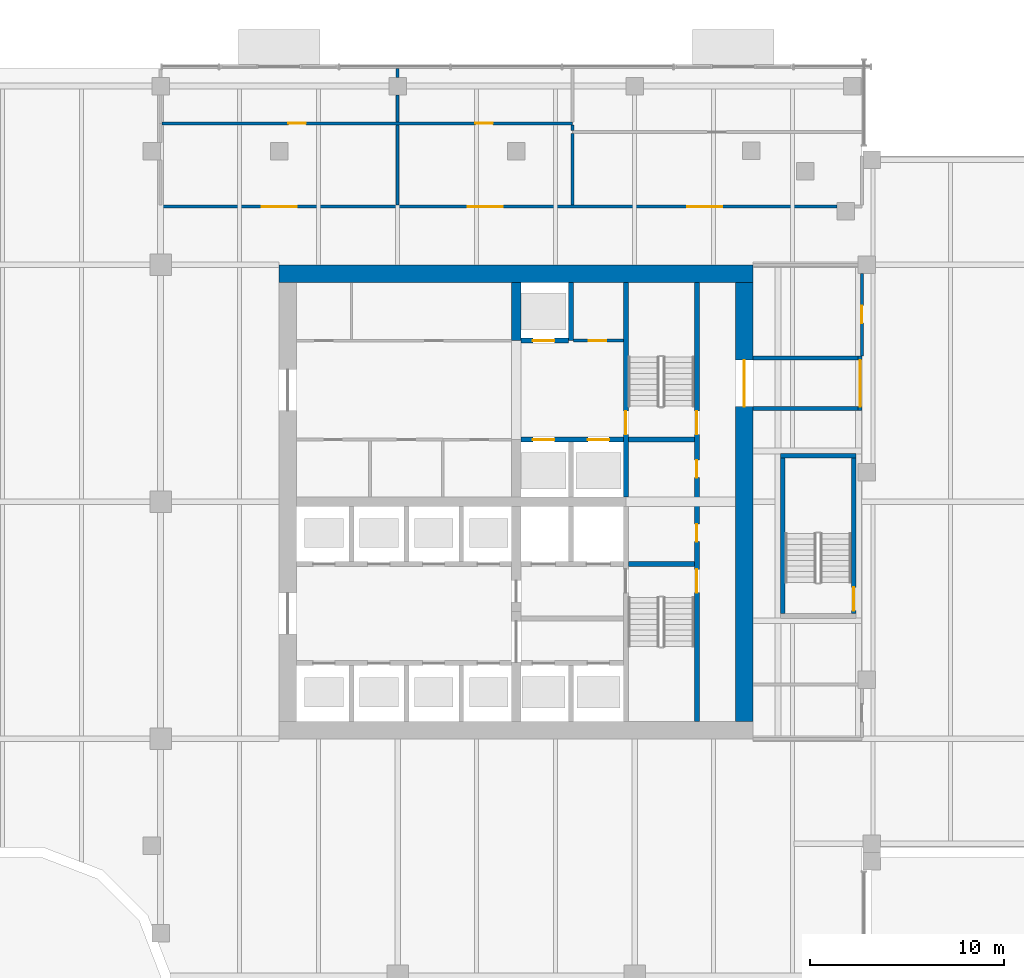
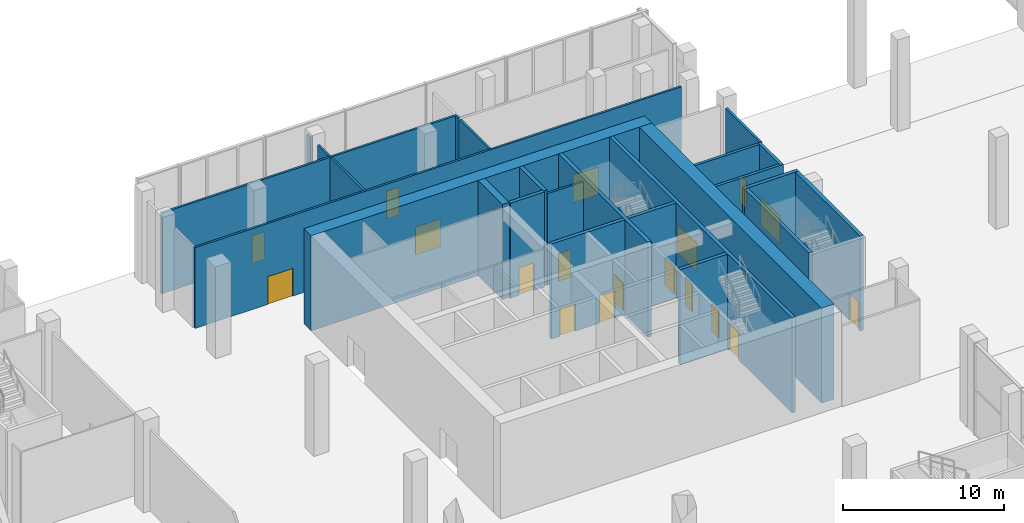
# One storey, part 21 of 36: 25 walls, 18 doors, 18 openings.
"""IFC4 building model written with IfcOpenShell, lengths in metres."""

from ifc_helpers import new_model, si_unit, direction, frame, frame_2d, origin, place, context, subcontext, project, spatial, rectangle, extrude, source, transform, mapped, material, layer, layer_set, type_object, element, fill, save


model = new_model("IFC4")

# Units and contexts
model_context = context("Model", 3, precision=1e-05, world=origin(), true_north=direction((0.0, 1.0)))
body_context = subcontext(model_context, "Body", "Model", "MODEL_VIEW")
ifc_project = project(units=[si_unit("LENGTHUNIT", "METRE"), si_unit("AREAUNIT", "SQUARE_METRE"), si_unit("VOLUMEUNIT", "CUBIC_METRE"), si_unit("PLANEANGLEUNIT", "RADIAN"), si_unit("MASSUNIT", "GRAM", prefix="KILO")], contexts=[model_context])

# Site, building, storey
site_placement = place(None, origin())
site = spatial("IfcSite", under=ifc_project, at=site_placement, CompositionType="ELEMENT")
building_placement = place(site_placement, origin())
building = spatial("IfcBuilding", under=site, at=building_placement, Name="Tessera Gate Towers", CompositionType="ELEMENT")
storey_placement = place(building_placement, origin())
storey = spatial("IfcBuildingStorey", under=building, at=storey_placement, Name="L00", CompositionType="ELEMENT", Elevation=0.0)

# Wall, opening, door
ifc_material_1 = material(Name="Concrete C40/50", Category="concrete")
ifc_layer_1 = layer(ifc_material_1, 0.25)
ifc_layer_set_1 = layer_set([ifc_layer_1], Name="CORE ENCLOSURE WALL 250")
wall_type_1 = type_object("IfcWallType", Name="CORE ENCLOSURE WALL 250", PredefinedType="SOLIDWALL", material=ifc_layer_set_1)
wall_1_placement = place(storey_placement, frame((48.35009765625, 47.89990234375, 0.0), z_axis=(0.0, 0.0, 1.0), x_axis=(0.0, -1.0, 0.0)))
wall_1 = element("IfcWall", 1, at=wall_1_placement, inside=storey, type_object=wall_type_1, Name="L00 shaft and stair enclosure wall", PredefinedType="SOLIDWALL", context=body_context, shape_type="SweptSolid", body=[
    extrude(rectangle(XDim=11.0498046875, YDim=0.25, at=frame_2d((5.52490234375, 0.0))), origin(), (0.0, 0.0, 1.0), 7.199951171875),
])
shared_shape_1 = source(origin(), body_context, "Body", "SweptSolid", [
    extrude(rectangle(XDim=1.199951171875, YDim=2.10009765625, at=frame_2d((0.60009765625, 1.050048828125))), frame((0.0, 0.135009765625, 0.0), z_axis=(0.0, -1.0, 0.0), x_axis=(1.0, 0.0, 0.0)), (0.0, 0.0, 1.0), 0.27001953125),
])
opening_1_placement = place(wall_1_placement, frame((6.625, 0.0, 0.0)))
opening_1 = element("IfcOpeningElement", 2, at=opening_1_placement, cuts=wall_1, Name="Opening SD-ST2-1", PredefinedType="OPENING", context=body_context, shape_type="MappedRepresentation", body=[
    mapped(shared_shape_1, transform((0.0, 0.0, 0.0), scale=1.0)),
])
ifc_material_2 = material(Name="Hollow steel fire door", Category="steel")
door_type_1 = type_object("IfcDoorType", Name="CORE DOOR SD 1200x2100", OperationType="NOTDEFINED", PredefinedType="DOOR", material=ifc_material_2)
shared_shape_2 = source(origin(), body_context, "Body", "SweptSolid", [
    extrude(rectangle(XDim=1.199951171875, YDim=2.10009765625, at=frame_2d((0.60009765625, 1.050048828125))), frame((0.0, 0.02490234375, 0.0), z_axis=(0.0, -1.0, 0.0), x_axis=(1.0, 0.0, 0.0)), (0.0, 0.0, 1.0), 0.050048828125),
])
door_1_placement = place(opening_1_placement, origin())
door_1 = element("IfcDoor", 3, at=door_1_placement, inside=storey, type_object=door_type_1, Name="Stair door", OperationType="SINGLE_SWING_RIGHT", OverallHeight=2.10009765625, OverallWidth=1.199951171875, PredefinedType="DOOR", context=body_context, shape_type="MappedRepresentation", body=[
    mapped(shared_shape_2, transform((0.0, 0.0, 0.0), scale=1.0)),
])
fill(opening_1, door_1)

# Wall, openings, doors
wall_2_placement = place(storey_placement, frame((52.0, 25.300048828125, 0.0), z_axis=(0.0, 0.0, 1.0), x_axis=(0.0, 1.0, 0.0)))
wall_2 = element("IfcWall", 4, at=wall_2_placement, inside=storey, type_object=wall_type_1, Name="L00 shaft and stair enclosure wall", PredefinedType="SOLIDWALL", context=body_context, shape_type="SweptSolid", body=[
    extrude(rectangle(XDim=22.599853515625, YDim=0.25, at=frame_2d((11.2998046875, 0.0))), origin(), (0.0, 0.0, 1.0), 7.199951171875),
])
opening_2_placement = place(wall_2_placement, frame((6.625, 0.0, 0.0)))
opening_2 = element("IfcOpeningElement", 5, at=opening_2_placement, cuts=wall_2, Name="Opening SD-ST1-2", PredefinedType="OPENING", context=body_context, shape_type="MappedRepresentation", body=[
    mapped(shared_shape_1, transform((0.0, 0.0, 0.0), scale=1.0)),
])
shared_shape_3 = source(origin(), body_context, "Body", "SweptSolid", [
    extrude(rectangle(XDim=0.89990234375, YDim=2.10009765625, at=frame_2d((0.449951171875, 1.050048828125))), frame((0.0, 0.135009765625, 0.0), z_axis=(0.0, -1.0, 0.0), x_axis=(1.0, 0.0, 0.0)), (0.0, 0.0, 1.0), 0.27001953125),
])
opening_3_placement = place(wall_2_placement, frame((9.25, 0.0, 0.0)))
opening_3 = element("IfcOpeningElement", 6, at=opening_3_placement, cuts=wall_2, Name="Opening RD-T1-02-06", PredefinedType="OPENING", context=body_context, shape_type="MappedRepresentation", body=[
    mapped(shared_shape_3, transform((0.0, 0.0, 0.0), scale=1.0)),
])
opening_4_placement = place(wall_2_placement, frame((12.550048828125, 0.0, 0.0)))
opening_4 = element("IfcOpeningElement", 7, at=opening_4_placement, cuts=wall_2, Name="Opening RD-T1-02-07", PredefinedType="OPENING", context=body_context, shape_type="MappedRepresentation", body=[
    mapped(shared_shape_3, transform((0.0, 0.0, 0.0), scale=1.0)),
])
opening_5_placement = place(wall_2_placement, frame((14.77490234375, 0.0, 0.0)))
opening_5 = element("IfcOpeningElement", 8, at=opening_5_placement, cuts=wall_2, Name="Opening SD-ST2-2", PredefinedType="OPENING", context=body_context, shape_type="MappedRepresentation", body=[
    mapped(shared_shape_1, transform((0.0, 0.0, 0.0), scale=1.0)),
])
door_2_placement = place(opening_2_placement, origin())
door_2 = element("IfcDoor", 9, at=door_2_placement, inside=storey, type_object=door_type_1, Name="Stair door", OperationType="SINGLE_SWING_LEFT", OverallHeight=2.10009765625, OverallWidth=1.199951171875, PredefinedType="DOOR", context=body_context, shape_type="MappedRepresentation", body=[
    mapped(shared_shape_2, transform((0.0, 0.0, 0.0), scale=1.0)),
])
fill(opening_2, door_2)
door_3_placement = place(opening_5_placement, origin())
door_3 = element("IfcDoor", 10, at=door_3_placement, inside=storey, type_object=door_type_1, Name="Stair door", OperationType="SINGLE_SWING_RIGHT", OverallHeight=2.10009765625, OverallWidth=1.199951171875, PredefinedType="DOOR", context=body_context, shape_type="MappedRepresentation", body=[
    mapped(shared_shape_2, transform((0.0, 0.0, 0.0), scale=1.0)),
])
fill(opening_5, door_3)
ifc_material_3 = material(Name="Hollow steel fire door", Category="steel")
door_type_2 = type_object("IfcDoorType", Name="CORE DOOR RD 900x2100", OperationType="NOTDEFINED", PredefinedType="DOOR", material=ifc_material_3)
shared_shape_4 = source(origin(), body_context, "Body", "SweptSolid", [
    extrude(rectangle(XDim=0.89990234375, YDim=2.10009765625, at=frame_2d((0.449951171875, 1.050048828125))), frame((0.0, 0.02490234375, 0.0), z_axis=(0.0, -1.0, 0.0), x_axis=(1.0, 0.0, 0.0)), (0.0, 0.0, 1.0), 0.050048828125),
])
door_4_placement = place(opening_3_placement, origin())
door_4 = element("IfcDoor", 11, at=door_4_placement, inside=storey, type_object=door_type_2, Name="Core room door", OperationType="SINGLE_SWING_LEFT", OverallHeight=2.10009765625, OverallWidth=0.89990234375, PredefinedType="DOOR", context=body_context, shape_type="MappedRepresentation", body=[
    mapped(shared_shape_4, transform((0.0, 0.0, 0.0), scale=1.0)),
])
fill(opening_3, door_4)
door_5_placement = place(opening_4_placement, origin())
door_5 = element("IfcDoor", 12, at=door_5_placement, inside=storey, type_object=door_type_2, Name="Core room door", OperationType="SINGLE_SWING_RIGHT", OverallHeight=2.10009765625, OverallWidth=0.89990234375, PredefinedType="DOOR", context=body_context, shape_type="MappedRepresentation", body=[
    mapped(shared_shape_4, transform((0.0, 0.0, 0.0), scale=1.0)),
])
fill(opening_4, door_5)

# Wall
wall_3_placement = place(storey_placement, frame((48.47509765625, 33.39990234375, 0.0), z_axis=(0.0, 0.0, 1.0), x_axis=(1.0, 0.0, 0.0)))
element("IfcWall", 13, at=wall_3_placement, inside=storey, type_object=wall_type_1, Name="L00 shaft and stair enclosure wall", PredefinedType="SOLIDWALL", context=body_context, shape_type="SweptSolid", body=[
    extrude(rectangle(XDim=3.39990234375, YDim=0.25, at=frame_2d((1.699951171875, 0.0))), origin(), (0.0, 0.0, 1.0), 7.199951171875),
])

# Wall, openings, doors
wall_4_placement = place(storey_placement, frame((42.949951171875, 39.800048828125, 0.0), z_axis=(0.0, 0.0, 1.0), x_axis=(1.0, 0.0, 0.0)))
wall_4 = element("IfcWall", 14, at=wall_4_placement, inside=storey, type_object=wall_type_1, Name="L00 shaft and stair enclosure wall", PredefinedType="SOLIDWALL", context=body_context, shape_type="SweptSolid", body=[
    extrude(rectangle(XDim=5.275146484375, YDim=0.25, at=frame_2d((2.6376953125, 0.0))), origin(), (0.0, 0.0, 1.0), 7.199951171875),
])
shared_shape_5 = source(origin(), body_context, "Body", "SweptSolid", [
    extrude(rectangle(XDim=1.10009765625, YDim=2.10009765625, at=frame_2d((0.550048828125, 1.050048828125))), frame((0.0, 0.135009765625, 0.0), z_axis=(0.0, -1.0, 0.0), x_axis=(1.0, 0.0, 0.0)), (0.0, 0.0, 1.0), 0.27001953125),
])
opening_6_placement = place(wall_4_placement, frame((0.612548828125, 0.0, 0.0)))
opening_6 = element("IfcOpeningElement", 15, at=opening_6_placement, cuts=wall_4, Name="Opening LD-SH1", PredefinedType="OPENING", context=body_context, shape_type="MappedRepresentation", body=[
    mapped(shared_shape_5, transform((0.0, 0.0, 0.0), scale=1.0)),
])
opening_7_placement = place(wall_4_placement, frame((3.4375, 0.0, 0.0)))
opening_7 = element("IfcOpeningElement", 16, at=opening_7_placement, cuts=wall_4, Name="Opening LD-SH2", PredefinedType="OPENING", context=body_context, shape_type="MappedRepresentation", body=[
    mapped(shared_shape_5, transform((0.0, 0.0, 0.0), scale=1.0)),
])
ifc_material_4 = material(Name="Stainless steel", Category="steel")
door_type_3 = type_object("IfcDoorType", Name="CORE DOOR LD 1100x2100", OperationType="DOUBLE_DOOR_SLIDING", PredefinedType="DOOR", material=ifc_material_4)
shared_shape_6 = source(origin(), body_context, "Body", "SweptSolid", [
    extrude(rectangle(XDim=1.10009765625, YDim=2.10009765625, at=frame_2d((0.550048828125, 1.050048828125))), frame((0.0, 0.02490234375, 0.0), z_axis=(0.0, -1.0, 0.0), x_axis=(1.0, 0.0, 0.0)), (0.0, 0.0, 1.0), 0.050048828125),
])
door_6_placement = place(opening_6_placement, origin())
door_6 = element("IfcDoor", 17, at=door_6_placement, inside=storey, type_object=door_type_3, Name="Landing door SH1 L00", OperationType="DOUBLE_DOOR_SLIDING", OverallHeight=2.10009765625, OverallWidth=1.10009765625, PredefinedType="DOOR", context=body_context, shape_type="MappedRepresentation", body=[
    mapped(shared_shape_6, transform((0.0, 0.0, 0.0), scale=1.0)),
])
fill(opening_6, door_6)
door_7_placement = place(opening_7_placement, origin())
door_7 = element("IfcDoor", 18, at=door_7_placement, inside=storey, type_object=door_type_3, Name="Landing door SH2 L00", OperationType="DOUBLE_DOOR_SLIDING", OverallHeight=2.10009765625, OverallWidth=1.10009765625, PredefinedType="DOOR", context=body_context, shape_type="MappedRepresentation", body=[
    mapped(shared_shape_6, transform((0.0, 0.0, 0.0), scale=1.0)),
])
fill(opening_7, door_7)

# Walls
wall_5_placement = place(storey_placement, frame((48.47509765625, 39.800048828125, 0.0), z_axis=(0.0, 0.0, 1.0), x_axis=(1.0, 0.0, 0.0)))
element("IfcWall", 19, at=wall_5_placement, inside=storey, type_object=wall_type_1, Name="L00 shaft and stair enclosure wall", PredefinedType="SOLIDWALL", context=body_context, shape_type="SweptSolid", body=[
    extrude(rectangle(XDim=3.39990234375, YDim=0.25, at=frame_2d((1.699951171875, 0.0))), origin(), (0.0, 0.0, 1.0), 7.199951171875),
])
wall_6_placement = place(storey_placement, frame((45.52490234375, 44.89990234375, 0.0), z_axis=(0.0, 0.0, 1.0), x_axis=(0.0, 1.0, 0.0)))
element("IfcWall", 20, at=wall_6_placement, inside=storey, type_object=wall_type_1, Name="L00 shaft and stair enclosure wall", PredefinedType="SOLIDWALL", context=body_context, shape_type="SweptSolid", body=[
    extrude(rectangle(XDim=3.0, YDim=0.25, at=frame_2d((1.5, 0.0))), origin(), (0.0, 0.0, 1.0), 7.199951171875),
])

# Wall, opening, door
wall_7_placement = place(storey_placement, frame((45.39990234375, 44.89990234375, 0.0), z_axis=(0.0, 0.0, 1.0), x_axis=(-1.0, 0.0, 0.0)))
wall_7 = element("IfcWall", 21, at=wall_7_placement, inside=storey, type_object=wall_type_1, Name="L00 shaft and stair enclosure wall", PredefinedType="SOLIDWALL", context=body_context, shape_type="SweptSolid", body=[
    extrude(rectangle(XDim=2.449951171875, YDim=0.25, at=frame_2d((1.22509765625, 0.0))), origin(), (0.0, 0.0, 1.0), 7.199951171875),
])
opening_8_placement = place(wall_7_placement, frame((0.737548828125, 0.0, 0.0)))
opening_8 = element("IfcOpeningElement", 22, at=opening_8_placement, cuts=wall_7, Name="Opening LD-SH3", PredefinedType="OPENING", context=body_context, shape_type="MappedRepresentation", body=[
    mapped(shared_shape_5, transform((0.0, 0.0, 0.0), scale=1.0)),
])
door_8_placement = place(opening_8_placement, origin())
door_8 = element("IfcDoor", 23, at=door_8_placement, inside=storey, type_object=door_type_3, Name="Landing door SH3 L00", OperationType="DOUBLE_DOOR_SLIDING", OverallHeight=2.10009765625, OverallWidth=1.10009765625, PredefinedType="DOOR", context=body_context, shape_type="MappedRepresentation", body=[
    mapped(shared_shape_6, transform((0.0, 0.0, 0.0), scale=1.0)),
])
fill(opening_8, door_8)

# Walls
wall_8_placement = place(storey_placement, frame((56.425048828125, 30.85009765625, 0.0), z_axis=(0.0, 0.0, 1.0), x_axis=(0.0, 1.0, 0.0)))
element("IfcWall", 24, at=wall_8_placement, inside=storey, type_object=wall_type_1, Name="L00 ST5 enclosure wall", PredefinedType="SOLIDWALL", context=body_context, shape_type="SweptSolid", body=[
    extrude(rectangle(XDim=8.0, YDim=0.25, at=frame_2d((4.0, 0.0))), origin(), (0.0, 0.0, 1.0), 7.199951171875),
])
wall_9_placement = place(storey_placement, frame((56.300048828125, 38.97509765625, 0.0), z_axis=(0.0, 0.0, 1.0), x_axis=(1.0, 0.0, 0.0)))
element("IfcWall", 25, at=wall_9_placement, inside=storey, type_object=wall_type_1, Name="L00 ST5 enclosure wall", PredefinedType="SOLIDWALL", context=body_context, shape_type="SweptSolid", body=[
    extrude(rectangle(XDim=3.89990234375, YDim=0.25, at=frame_2d((1.949951171875, 0.0))), origin(), (0.0, 0.0, 1.0), 7.199951171875),
])

# Wall, opening, door
wall_10_placement = place(storey_placement, frame((60.074951171875, 38.85009765625, 0.0), z_axis=(0.0, 0.0, 1.0), x_axis=(0.0, -1.0, 0.0)))
wall_10 = element("IfcWall", 26, at=wall_10_placement, inside=storey, type_object=wall_type_1, Name="L00 ST5 enclosure wall", PredefinedType="SOLIDWALL", context=body_context, shape_type="SweptSolid", body=[
    extrude(rectangle(XDim=8.0, YDim=0.25, at=frame_2d((4.0, 0.0))), origin(), (0.0, 0.0, 1.0), 7.199951171875),
])
opening_9_placement = place(wall_10_placement, frame((6.64990234375, 0.0, 0.0)))
opening_9 = element("IfcOpeningElement", 27, at=opening_9_placement, cuts=wall_10, Name="Opening SD-ST5-1", PredefinedType="OPENING", context=body_context, shape_type="MappedRepresentation", body=[
    mapped(shared_shape_1, transform((0.0, 0.0, 0.0), scale=1.0)),
])
door_9_placement = place(opening_9_placement, origin())
door_9 = element("IfcDoor", 28, at=door_9_placement, inside=storey, type_object=door_type_1, Name="Stair door", OperationType="SINGLE_SWING_RIGHT", OverallHeight=2.10009765625, OverallWidth=1.199951171875, PredefinedType="DOOR", context=body_context, shape_type="MappedRepresentation", body=[
    mapped(shared_shape_2, transform((0.0, 0.0, 0.0), scale=1.0)),
])
fill(opening_9, door_9)

# Wall
ifc_material_5 = material(Name="Concrete C70/85", Category="concrete")
ifc_layer_2 = layer(ifc_material_5, 0.89990234375)
ifc_layer_set_2 = layer_set([ifc_layer_2], Name="CORE SHEAR WALL 900 C70/85")
wall_type_2 = type_object("IfcWallType", Name="CORE SHEAR WALL 900 C70/85", PredefinedType="SHEAR", material=ifc_layer_set_2)
wall_11_placement = place(storey_placement, frame((30.5, 48.35009765625, 0.0), z_axis=(0.0, 0.0, 1.0), x_axis=(1.0, 0.0, 0.0)))
element("IfcWall", 29, at=wall_11_placement, inside=storey, type_object=wall_type_2, Name="Core wall N L00", PredefinedType="SHEAR", context=body_context, shape_type="SweptSolid", body=[
    extrude(rectangle(XDim=24.39990234375, YDim=0.89990234375, at=frame_2d((12.199951171875, 0.0))), origin(), (0.0, 0.0, 1.0), 7.199951171875),
])

# Wall, opening, door
wall_12_placement = place(storey_placement, frame((54.449951171875, 47.89990234375, 0.0), z_axis=(0.0, 0.0, 1.0), x_axis=(0.0, -1.0, 0.0)))
wall_12 = element("IfcWall", 30, at=wall_12_placement, inside=storey, type_object=wall_type_2, Name="Core wall E L00", PredefinedType="SHEAR", context=body_context, shape_type="SweptSolid", body=[
    extrude(rectangle(XDim=22.599853515625, YDim=0.89990234375, at=frame_2d((11.2998046875, 0.0))), origin(), (0.0, 0.0, 1.0), 7.199951171875),
])
shared_shape_7 = source(origin(), body_context, "Body", "SweptSolid", [
    extrude(rectangle(XDim=2.39990234375, YDim=2.10009765625, at=frame_2d((1.199951171875, 1.050048828125))), frame((0.0, 0.4599609375, 0.0), z_axis=(0.0, -1.0, 0.0), x_axis=(1.0, 0.0, 0.0)), (0.0, 0.0, 1.0), 0.919921875),
])
opening_10_placement = place(wall_12_placement, frame((4.0, 0.0, 0.0)))
opening_10 = element("IfcOpeningElement", 31, at=opening_10_placement, cuts=wall_12, Name="Opening ED-T1-02-03", PredefinedType="OPENING", context=body_context, shape_type="MappedRepresentation", body=[
    mapped(shared_shape_7, transform((0.0, 0.0, 0.0), scale=1.0)),
])
ifc_material_6 = material(Name="Hollow steel fire door", Category="steel")
door_type_4 = type_object("IfcDoorType", Name="CORE DOOR ED2400 2400x2100", OperationType="NOTDEFINED", PredefinedType="DOOR", material=ifc_material_6)
shared_shape_8 = source(origin(), body_context, "Body", "SweptSolid", [
    extrude(rectangle(XDim=2.39990234375, YDim=2.10009765625, at=frame_2d((1.199951171875, 1.050048828125))), frame((0.0, 0.02490234375, 0.0), z_axis=(0.0, -1.0, 0.0), x_axis=(1.0, 0.0, 0.0)), (0.0, 0.0, 1.0), 0.050048828125),
])
door_10_placement = place(opening_10_placement, origin())
door_10 = element("IfcDoor", 32, at=door_10_placement, inside=storey, type_object=door_type_4, Name="Core exit door", OperationType="SINGLE_SWING_LEFT", OverallHeight=2.10009765625, OverallWidth=2.39990234375, PredefinedType="DOOR", context=body_context, shape_type="MappedRepresentation", body=[
    mapped(shared_shape_8, transform((0.0, 0.0, 0.0), scale=1.0)),
])
fill(opening_10, door_10)

# Wall
ifc_material_7 = material(Name="Concrete C70/85", Category="concrete")
ifc_layer_3 = layer(ifc_material_7, 0.5)
ifc_layer_set_3 = layer_set([ifc_layer_3], Name="CORE SPINE WALL 500 C70/85")
wall_type_3 = type_object("IfcWallType", Name="CORE SPINE WALL 500 C70/85", PredefinedType="SHEAR", material=ifc_layer_set_3)
wall_13_placement = place(storey_placement, frame((42.699951171875, 44.89990234375, 0.0), z_axis=(0.0, 0.0, 1.0), x_axis=(0.0, 1.0, 0.0)))
element("IfcWall", 33, at=wall_13_placement, inside=storey, type_object=wall_type_3, Name="Core wall spine L00", PredefinedType="SHEAR", context=body_context, shape_type="SweptSolid", body=[
    extrude(rectangle(XDim=3.0, YDim=0.5, at=frame_2d((1.5, 0.0))), origin(), (0.0, 0.0, 1.0), 7.199951171875),
])

# Wall, opening, door
ifc_material_8 = material(Name="Gypsum board on steel studs, mineral wool", Category="steel")
ifc_layer_4 = layer(ifc_material_8, 0.14990234375)
ifc_layer_set_4 = layer_set([ifc_layer_4], Name="CORRIDOR WALL 150")
wall_type_4 = type_object("IfcWallType", Name="CORRIDOR WALL 150", PredefinedType="PARTITIONING", material=ifc_layer_set_4)
wall_14_placement = place(storey_placement, frame((60.5, 44.10009765625, 0.0), z_axis=(0.0, 0.0, 1.0), x_axis=(0.0, 1.0, 0.0)))
wall_14 = element("IfcWall", 34, at=wall_14_placement, inside=storey, type_object=wall_type_4, Name="PODIUM-L00-PW-015", PredefinedType="PARTITIONING", context=body_context, shape_type="SweptSolid", body=[
    extrude(rectangle(XDim=4.2490234375, YDim=0.14990234375, at=frame_2d((2.12451171875, 0.0))), origin(), (0.0, 0.0, 1.0), 6.114990234375),
])
shared_shape_9 = source(origin(), body_context, "Body", "SweptSolid", [
    extrude(rectangle(XDim=0.89990234375, YDim=2.10009765625, at=frame_2d((0.449951171875, 1.050048828125))), frame((0.0, 0.0849609375, 0.0), z_axis=(0.0, -1.0, 0.0), x_axis=(1.0, 0.0, 0.0)), (0.0, 0.0, 1.0), 0.169921875),
])
opening_11_placement = place(wall_14_placement, frame((1.699951171875, 0.0, 0.0)))
opening_11 = element("IfcOpeningElement", 35, at=opening_11_placement, cuts=wall_14, Name="Opening D890FD60-P01-02", PredefinedType="OPENING", context=body_context, shape_type="MappedRepresentation", body=[
    mapped(shared_shape_9, transform((0.0, 0.0, 0.0), scale=1.0)),
])
ifc_material_9 = material(Name="Timber door leaf in steel frame", Category="steel")
door_type_5 = type_object("IfcDoorType", Name="CORRIDOR DOOR 900 FD60", OperationType="NOTDEFINED", PredefinedType="DOOR", material=ifc_material_9)
door_11_placement = place(opening_11_placement, origin())
door_11 = element("IfcDoor", 36, at=door_11_placement, inside=storey, type_object=door_type_5, Name="PODIUM-L00-PD-002", OperationType="SINGLE_SWING_LEFT", OverallHeight=2.10009765625, OverallWidth=0.89990234375, PredefinedType="DOOR", context=body_context, shape_type="MappedRepresentation", body=[
    mapped(shared_shape_4, transform((0.0, 0.0, 0.0), scale=1.0)),
])
fill(opening_11, door_11)

# Wall, openings, doors
wall_15_placement = place(storey_placement, frame((24.39990234375, 51.800048828125, 0.0), z_axis=(0.0, 0.0, 1.0), x_axis=(1.0, 0.0, 0.0)))
wall_15 = element("IfcWall", 37, at=wall_15_placement, inside=storey, type_object=wall_type_4, Name="PODIUM-L00-PW-023", PredefinedType="PARTITIONING", context=body_context, shape_type="SweptSolid", body=[
    extrude(rectangle(XDim=34.818115234375, YDim=0.14990234375, at=frame_2d((17.4091796875, 0.0))), origin(), (0.0, 0.0, 1.0), 6.114990234375),
])
shared_shape_10 = source(origin(), body_context, "Body", "SweptSolid", [
    extrude(rectangle(XDim=1.800048828125, YDim=2.10009765625, at=frame_2d((0.89990234375, 1.050048828125))), frame((0.0, 0.0849609375, 0.0), z_axis=(0.0, -1.0, 0.0), x_axis=(1.0, 0.0, 0.0)), (0.0, 0.0, 1.0), 0.169921875),
])
opening_12_placement = place(wall_15_placement, frame((15.801025390625, 0.0, 0.0)))
opening_12 = element("IfcOpeningElement", 38, at=opening_12_placement, cuts=wall_15, Name="Opening D2180FD60-P01-01", PredefinedType="OPENING", context=body_context, shape_type="MappedRepresentation", body=[
    mapped(shared_shape_10, transform((0.0, 0.0, 0.0), scale=1.0)),
])
opening_13_placement = place(wall_15_placement, frame((5.199951171875, 0.0, 0.0)))
opening_13 = element("IfcOpeningElement", 39, at=opening_13_placement, cuts=wall_15, Name="Opening D2180FD60-P01-06", PredefinedType="OPENING", context=body_context, shape_type="MappedRepresentation", body=[
    mapped(shared_shape_10, transform((0.0, 0.0, 0.0), scale=1.0)),
])
opening_14_placement = place(wall_15_placement, frame((27.10009765625, 0.0, 0.0)))
opening_14 = element("IfcOpeningElement", 40, at=opening_14_placement, cuts=wall_15, Name="Opening D2180FD60-P01-07", PredefinedType="OPENING", context=body_context, shape_type="MappedRepresentation", body=[
    mapped(shared_shape_10, transform((0.0, 0.0, 0.0), scale=1.0)),
])
ifc_material_10 = material(Name="Timber door leaf in steel frame", Category="steel")
door_type_6 = type_object("IfcDoorType", Name="TENANCY ENTRANCE DOUBLE DOOR 1800 FD60", OperationType="NOTDEFINED", PredefinedType="DOOR", material=ifc_material_10)
shared_shape_11 = source(origin(), body_context, "Body", "SweptSolid", [
    extrude(rectangle(XDim=1.800048828125, YDim=2.10009765625, at=frame_2d((0.89990234375, 1.050048828125))), frame((0.0, 0.02490234375, 0.0), z_axis=(0.0, -1.0, 0.0), x_axis=(1.0, 0.0, 0.0)), (0.0, 0.0, 1.0), 0.050048828125),
])
door_12_placement = place(opening_12_placement, origin())
door_12 = element("IfcDoor", 41, at=door_12_placement, inside=storey, type_object=door_type_6, Name="PODIUM-L00-PD-004", OperationType="DOUBLE_DOOR_SINGLE_SWING", OverallHeight=2.10009765625, OverallWidth=1.800048828125, PredefinedType="DOOR", context=body_context, shape_type="MappedRepresentation", body=[
    mapped(shared_shape_11, transform((0.0, 0.0, 0.0), scale=1.0)),
])
fill(opening_12, door_12)
door_13_placement = place(opening_13_placement, origin())
door_13 = element("IfcDoor", 42, at=door_13_placement, inside=storey, type_object=door_type_6, Name="PODIUM-L00-PD-013", OperationType="DOUBLE_DOOR_SINGLE_SWING", OverallHeight=2.10009765625, OverallWidth=1.800048828125, PredefinedType="DOOR", context=body_context, shape_type="MappedRepresentation", body=[
    mapped(shared_shape_11, transform((0.0, 0.0, 0.0), scale=1.0)),
])
fill(opening_13, door_13)
door_14_placement = place(opening_14_placement, origin())
door_14 = element("IfcDoor", 43, at=door_14_placement, inside=storey, type_object=door_type_6, Name="PODIUM-L00-PD-014", OperationType="DOUBLE_DOOR_SINGLE_SWING", OverallHeight=2.10009765625, OverallWidth=1.800048828125, PredefinedType="DOOR", context=body_context, shape_type="MappedRepresentation", body=[
    mapped(shared_shape_11, transform((0.0, 0.0, 0.0), scale=1.0)),
])
fill(opening_14, door_14)

# Walls
ifc_material_11 = material(Name="Gypsum board on steel studs", Category="steel")
ifc_layer_5 = layer(ifc_material_11, 0.199951171875)
ifc_layer_set_5 = layer_set([ifc_layer_5], Name="EXIT PASSAGE WALL 200")
wall_type_5 = type_object("IfcWallType", Name="EXIT PASSAGE WALL 200", PredefinedType="PARTITIONING", material=ifc_layer_set_5)
for number, where, z_axis, x_axis, name in (
    (44, (54.89990234375, 41.39990234375, 0.0), (0.0, 0.0, 1.0), (1.0, 0.0, 0.0), "L00 exit passage wall"),
    (45, (54.89990234375, 44.0, 0.0), (0.0, 0.0, 1.0), (1.0, 0.0, 0.0), "L00 exit passage wall"),
):
    element("IfcWall", number, at=place(storey_placement, frame(where, z_axis=z_axis, x_axis=x_axis)), inside=storey, type_object=wall_type_5, Name=name, PredefinedType="PARTITIONING", context=body_context, shape_type="SweptSolid", body=[
        extrude(rectangle(XDim=5.60009765625, YDim=0.199951171875, at=frame_2d((2.800048828125, 0.0))), origin(), (0.0, 0.0, 1.0), 6.114990234375),
    ])

# Wall, opening, door
wall_16_placement = place(storey_placement, frame((60.39990234375, 44.10009765625, 0.0), z_axis=(0.0, 0.0, 1.0), x_axis=(0.0, -1.0, 0.0)))
wall_16 = element("IfcWall", 46, at=wall_16_placement, inside=storey, type_object=wall_type_5, Name="L00 exit passage end wall", PredefinedType="PARTITIONING", context=body_context, shape_type="SweptSolid", body=[
    extrude(rectangle(XDim=2.800048828125, YDim=0.199951171875, at=frame_2d((1.39990234375, 0.0))), origin(), (0.0, 0.0, 1.0), 6.114990234375),
])
shared_shape_12 = source(origin(), body_context, "Body", "SweptSolid", [
    extrude(rectangle(XDim=2.39990234375, YDim=2.10009765625, at=frame_2d((1.199951171875, 1.050048828125))), frame((0.0, 0.10986328125, 0.0), z_axis=(0.0, -1.0, 0.0), x_axis=(1.0, 0.0, 0.0)), (0.0, 0.0, 1.0), 0.219970703125),
])
opening_15_placement = place(wall_16_placement, frame((0.199951171875, 0.0, 0.0)))
opening_15 = element("IfcOpeningElement", 47, at=opening_15_placement, cuts=wall_16, Name="Opening ED-T1-COREX", PredefinedType="OPENING", context=body_context, shape_type="MappedRepresentation", body=[
    mapped(shared_shape_12, transform((0.0, 0.0, 0.0), scale=1.0)),
])
ifc_material_12 = material(Name="Hollow steel fire door", Category="steel")
door_type_7 = type_object("IfcDoorType", Name="CORE DOOR DD2400 2400x2100", OperationType="NOTDEFINED", PredefinedType="DOOR", material=ifc_material_12)
door_15_placement = place(opening_15_placement, origin())
door_15 = element("IfcDoor", 48, at=door_15_placement, inside=storey, type_object=door_type_7, Name="Final exit door", OperationType="DOUBLE_DOOR_SINGLE_SWING", OverallHeight=2.10009765625, OverallWidth=2.39990234375, PredefinedType="DOOR", context=body_context, shape_type="MappedRepresentation", body=[
    mapped(shared_shape_8, transform((0.0, 0.0, 0.0), scale=1.0)),
])
fill(opening_15, door_15)

ifc_material_13 = material(Name="Gypsum board on steel studs", Category="steel")
ifc_layer_6 = layer(ifc_material_13, 0.14990234375)
ifc_layer_set_6 = layer_set([ifc_layer_6], Name="SERVICE ROOM WALL 150")
wall_type_6 = type_object("IfcWallType", Name="SERVICE ROOM WALL 150", PredefinedType="PARTITIONING", material=ifc_layer_set_6)
wall_17_placement = place(storey_placement, frame((45.64990234375, 44.89990234375, 0.0), z_axis=(0.0, 0.0, 1.0), x_axis=(1.0, 0.0, 0.0)))
wall_17 = element("IfcWall", 49, at=wall_17_placement, inside=storey, type_object=wall_type_6, Name="L00 service room wall", PredefinedType="PARTITIONING", context=body_context, shape_type="SweptSolid", body=[
    extrude(rectangle(XDim=2.5751953125, YDim=0.14990234375, at=frame_2d((1.28759765625, 0.0))), origin(), (0.0, 0.0, 1.0), 6.949951171875),
])
opening_16_placement = place(wall_17_placement, frame((0.800048828125, 0.0, 0.0)))
opening_16 = element("IfcOpeningElement", 50, at=opening_16_placement, cuts=wall_17, Name="Opening RD-T1-02-13", PredefinedType="OPENING", context=body_context, shape_type="MappedRepresentation", body=[
    mapped(shared_shape_9, transform((0.0, 0.0, 0.0), scale=1.0)),
])
door_16_placement = place(opening_16_placement, origin())
door_16 = element("IfcDoor", 51, at=door_16_placement, inside=storey, type_object=door_type_2, Name="Core room door", OperationType="SINGLE_SWING_LEFT", OverallHeight=2.10009765625, OverallWidth=0.89990234375, PredefinedType="DOOR", context=body_context, shape_type="MappedRepresentation", body=[
    mapped(shared_shape_4, transform((0.0, 0.0, 0.0), scale=1.0)),
])
fill(opening_16, door_16)

# Wall
ifc_material_14 = material(Name="Gypsum board on steel studs, mineral wool", Category="steel")
ifc_layer_7 = layer(ifc_material_14, 0.14990234375)
ifc_layer_set_7 = layer_set([ifc_layer_7], Name="STORE WALL 150")
wall_type_7 = type_object("IfcWallType", Name="STORE WALL 150", PredefinedType="PARTITIONING", material=ifc_layer_set_7)
wall_18_placement = place(storey_placement, frame((45.60009765625, 55.700927734375, 0.0), z_axis=(0.0, 0.0, 1.0), x_axis=(0.0, 1.0, 0.0)))
element("IfcWall", 52, at=wall_18_placement, inside=storey, type_object=wall_type_7, Name="PODIUM-L00-PW-038", PredefinedType="PARTITIONING", context=body_context, shape_type="SweptSolid", body=[
    extrude(rectangle(XDim=0.298095703125, YDim=0.14990234375, at=frame_2d((0.14892578125, 0.0))), origin(), (0.0, 0.0, 1.0), 6.114990234375),
])

# Wall, openings, doors
wall_19_placement = place(storey_placement, frame((24.47607421875, 56.074951171875, 0.0), z_axis=(0.0, 0.0, 1.0), x_axis=(1.0, 0.0, 0.0)))
wall_19 = element("IfcWall", 53, at=wall_19_placement, inside=storey, type_object=wall_type_7, Name="PODIUM-L00-PW-043", PredefinedType="PARTITIONING", context=body_context, shape_type="SweptSolid", body=[
    extrude(rectangle(XDim=21.1240234375, YDim=0.14990234375, at=frame_2d((10.56201171875, 0.0))), origin(), (0.0, 0.0, 1.0), 6.114990234375),
])
opening_17_placement = place(wall_19_placement, frame((16.125, 0.0, 0.0)))
opening_17 = element("IfcOpeningElement", 54, at=opening_17_placement, cuts=wall_19, Name="Opening D490FD60-P01-01", PredefinedType="OPENING", context=body_context, shape_type="MappedRepresentation", body=[
    mapped(shared_shape_9, transform((0.0, 0.0, 0.0), scale=1.0)),
])
opening_18_placement = place(wall_19_placement, frame((6.5, 0.0, 0.0)))
opening_18 = element("IfcOpeningElement", 55, at=opening_18_placement, cuts=wall_19, Name="Opening D490FD60-P01-03", PredefinedType="OPENING", context=body_context, shape_type="MappedRepresentation", body=[
    mapped(shared_shape_9, transform((0.0, 0.0, 0.0), scale=1.0)),
])
ifc_material_15 = material(Name="Timber door leaf in steel frame", Category="steel")
door_type_8 = type_object("IfcDoorType", Name="STORE DOOR 900 FD60", OperationType="NOTDEFINED", PredefinedType="DOOR", material=ifc_material_15)
door_17_placement = place(opening_17_placement, origin())
door_17 = element("IfcDoor", 56, at=door_17_placement, inside=storey, type_object=door_type_8, Name="PODIUM-L00-PD-005", OperationType="SINGLE_SWING_LEFT", OverallHeight=2.10009765625, OverallWidth=0.89990234375, PredefinedType="DOOR", context=body_context, shape_type="MappedRepresentation", body=[
    mapped(shared_shape_4, transform((0.0, 0.0, 0.0), scale=1.0)),
])
fill(opening_17, door_17)
door_18_placement = place(opening_18_placement, origin())
door_18 = element("IfcDoor", 57, at=door_18_placement, inside=storey, type_object=door_type_8, Name="PODIUM-L00-PD-011", OperationType="SINGLE_SWING_LEFT", OverallHeight=2.10009765625, OverallWidth=0.89990234375, PredefinedType="DOOR", context=body_context, shape_type="MappedRepresentation", body=[
    mapped(shared_shape_4, transform((0.0, 0.0, 0.0), scale=1.0)),
])
fill(opening_18, door_18)

# Walls
wall_20_placement = place(storey_placement, frame((36.60009765625, 56.15087890625, 0.0), z_axis=(0.0, 0.0, 1.0), x_axis=(0.0, 1.0, 0.0)))
element("IfcWall", 58, at=wall_20_placement, inside=storey, type_object=wall_type_7, Name="PODIUM-L00-PW-044", PredefinedType="PARTITIONING", context=body_context, shape_type="SweptSolid", body=[
    extrude(rectangle(XDim=1.398193359375, YDim=0.14990234375, at=frame_2d((0.69921875, 0.0))), origin(), (0.0, 0.0, 1.0), 6.114990234375),
])
wall_21_placement = place(storey_placement, frame((36.60009765625, 58.450927734375, 0.0), z_axis=(0.0, 0.0, 1.0), x_axis=(0.0, 1.0, 0.0)))
element("IfcWall", 59, at=wall_21_placement, inside=storey, type_object=wall_type_7, Name="PODIUM-L00-PW-048", PredefinedType="PARTITIONING", context=body_context, shape_type="SweptSolid", body=[
    extrude(rectangle(XDim=0.448974609375, YDim=0.14990234375, at=frame_2d((0.224609375, 0.0))), origin(), (0.0, 0.0, 1.0), 6.114990234375),
])
ifc_material_16 = material(Name="Gypsum board on steel studs, mineral wool", Category="steel")
ifc_layer_8 = layer(ifc_material_16, 0.14990234375)
ifc_layer_set_8 = layer_set([ifc_layer_8], Name="TENANCY WALL 150")
wall_type_8 = type_object("IfcWallType", Name="TENANCY WALL 150", PredefinedType="PARTITIONING", material=ifc_layer_set_8)
wall_22_placement = place(storey_placement, frame((36.60009765625, 51.8759765625, 0.0), z_axis=(0.0, 0.0, 1.0), x_axis=(0.0, 1.0, 0.0)))
element("IfcWall", 60, at=wall_22_placement, inside=storey, type_object=wall_type_8, Name="PODIUM-L00-PW-029", PredefinedType="PARTITIONING", context=body_context, shape_type="SweptSolid", body=[
    extrude(rectangle(XDim=4.123046875, YDim=0.14990234375, at=frame_2d((2.0615234375, 0.0))), origin(), (0.0, 0.0, 1.0), 6.114990234375),
])
wall_23_placement = place(storey_placement, frame((45.60009765625, 51.8759765625, 0.0), z_axis=(0.0, 0.0, 1.0), x_axis=(0.0, 1.0, 0.0)))
element("IfcWall", 61, at=wall_23_placement, inside=storey, type_object=wall_type_8, Name="PODIUM-L00-PW-030", PredefinedType="PARTITIONING", context=body_context, shape_type="SweptSolid", body=[
    extrude(rectangle(XDim=3.673095703125, YDim=0.14990234375, at=frame_2d((1.83642578125, 0.0))), origin(), (0.0, 0.0, 1.0), 6.114990234375),
])

save(model, "model.ifc")
